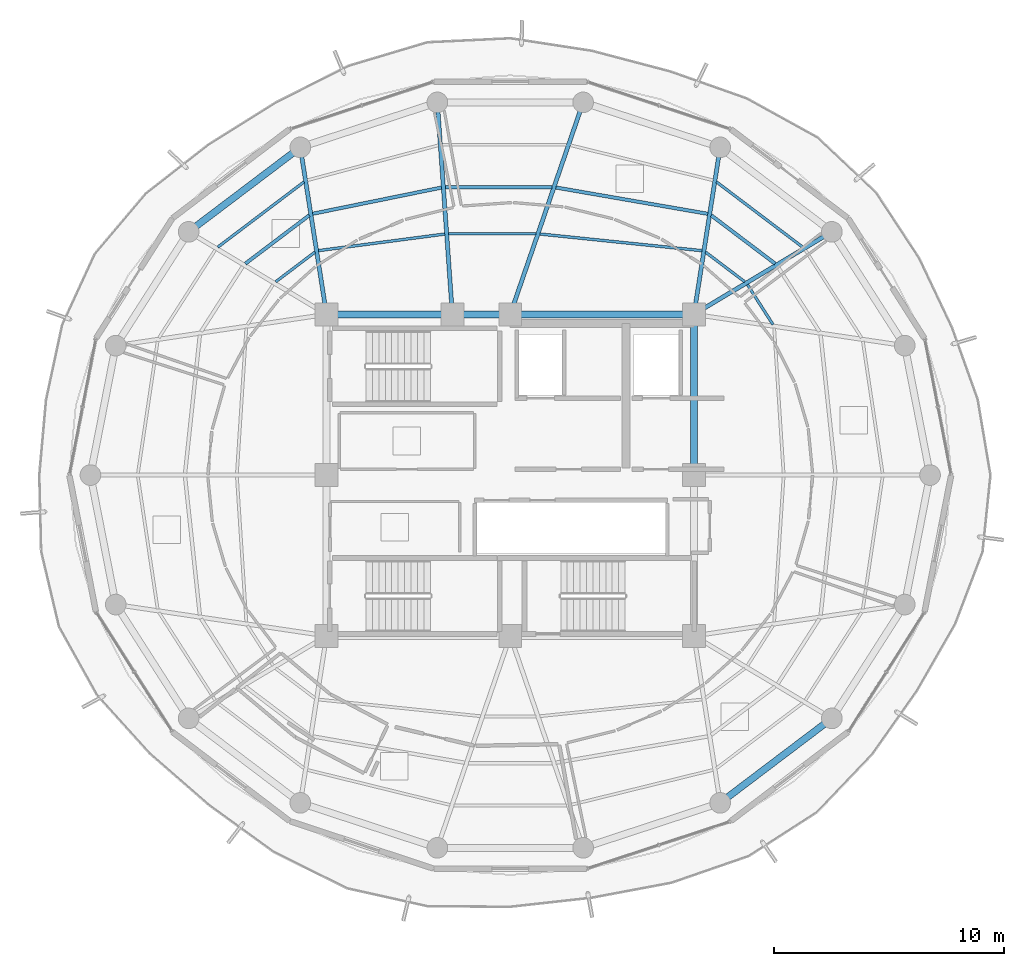
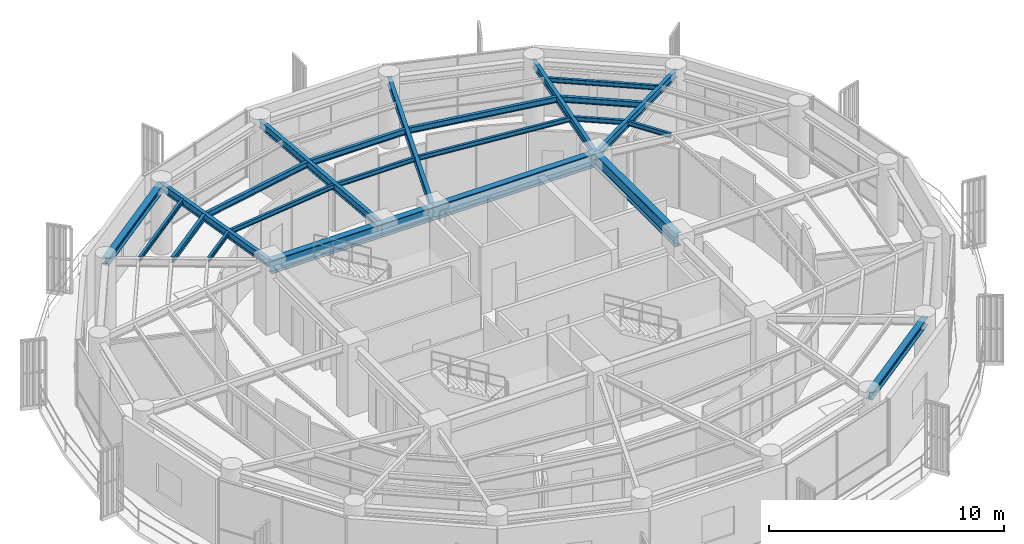
# One storey, part 9 of 23: 24 beams.
"""IFC4 building model written with IfcOpenShell, lengths in metres."""

from ifc_helpers import new_model, si_unit, direction, frame, origin, origin_2d, place, context, subcontext, project, spatial, i_section, extrude, material, material_profile, profile_set, type_object, element, save


model = new_model("IFC4")

# Units and contexts
model_context = context("Model", 3, precision=1e-05, world=origin(), true_north=direction((0.0, 1.0)))
body_context = subcontext(model_context, "Body", "Model", "MODEL_VIEW")
ifc_project = project(units=[si_unit("LENGTHUNIT", "METRE"), si_unit("AREAUNIT", "SQUARE_METRE"), si_unit("VOLUMEUNIT", "CUBIC_METRE"), si_unit("PLANEANGLEUNIT", "RADIAN"), si_unit("MASSUNIT", "GRAM", prefix="KILO")], contexts=[model_context])

# Site, building, storey
site_placement = place(None, origin())
site = spatial("IfcSite", under=ifc_project, at=site_placement, CompositionType="ELEMENT")
building_placement = place(site_placement, origin())
building = spatial("IfcBuilding", under=site, at=building_placement, Name="Kelanora Arch Commons", CompositionType="ELEMENT")
storey_placement = place(building_placement, frame((0.0, 0.0, 286.199951171875)))
storey = spatial("IfcBuildingStorey", under=building, at=storey_placement, Name="L73", CompositionType="ELEMENT", Elevation=286.199951171875)

# Beams
ifc_material = material(Name="Steel S355", Category="steel")
ifc_material_profile_1 = material_profile(ifc_material, i_section(OverallWidth=0.300048828125, OverallDepth=0.699951171875, WebThickness=0.01708984375, FlangeThickness=0.031982421875, FilletRadius=0.027099609375, at=origin_2d()), Name="HEB700")
ifc_profile_set_1 = profile_set([ifc_material_profile_1], Name="Steel S355")
beam_type_1 = type_object("IfcBeamType", Name="BM-CORE-HDR", PredefinedType="BEAM", material=ifc_profile_set_1)
beam_1_placement = place(storey_placement, frame((82.0, 58.0, 3.14013671875), z_axis=(0.0, 1.0, 0.0), x_axis=(-1.0, 0.0, 0.0)))
element("IfcBeam", 1, at=beam_1_placement, inside=storey, type_object=beam_type_1, Name="Core Header Beam 04 L73", PredefinedType="BEAM", context=body_context, shape_type="SweptSolid", body=[
    extrude(i_section(OverallWidth=0.300048828125, OverallDepth=0.699951171875, WebThickness=0.01708984375, FlangeThickness=0.031982421875, FilletRadius=0.027099609375, at=origin_2d()), origin(), (0.0, 0.0, 1.0), 7.0),
])
beam_2_placement = place(storey_placement, frame((82.0, 65.0, 3.14013671875), z_axis=(-1.0, 0.0, 0.0), x_axis=(0.0, -1.0, 0.0)))
element("IfcBeam", 2, at=beam_2_placement, inside=storey, type_object=beam_type_1, Name="Core Header Beam 05 L73", PredefinedType="BEAM", context=body_context, shape_type="SweptSolid", body=[
    extrude(i_section(OverallWidth=0.300048828125, OverallDepth=0.699951171875, WebThickness=0.01708984375, FlangeThickness=0.031982421875, FilletRadius=0.027099609375, at=origin_2d()), origin(), (0.0, 0.0, 1.0), 8.0),
])
beam_3_placement = place(storey_placement, frame((74.0, 65.0, 3.14013671875), z_axis=(-1.0, 0.0, 0.0), x_axis=(0.0, -1.0, 0.0)))
element("IfcBeam", 3, at=beam_3_placement, inside=storey, type_object=beam_type_1, Name="Core Header Beam 06 L73", PredefinedType="BEAM", context=body_context, shape_type="SweptSolid", body=[
    extrude(i_section(OverallWidth=0.300048828125, OverallDepth=0.699951171875, WebThickness=0.01708984375, FlangeThickness=0.031982421875, FilletRadius=0.027099609375, at=origin_2d()), origin(), (0.0, 0.0, 1.0), 2.52001953125),
])
beam_4_placement = place(storey_placement, frame((71.47998046875, 65.0, 3.14013671875), z_axis=(-1.0, 0.0, 0.0), x_axis=(0.0, -1.0, 0.0)))
element("IfcBeam", 4, at=beam_4_placement, inside=storey, type_object=beam_type_1, Name="Core Header Beam 07 L73", PredefinedType="BEAM", context=body_context, shape_type="SweptSolid", body=[
    extrude(i_section(OverallWidth=0.300048828125, OverallDepth=0.699951171875, WebThickness=0.01708984375, FlangeThickness=0.031982421875, FilletRadius=0.027099609375, at=origin_2d()), origin(), (0.0, 0.0, 1.0), 5.47998046875),
])
ifc_material_profile_2 = material_profile(ifc_material, i_section(OverallWidth=0.14990234375, OverallDepth=0.300048828125, WebThickness=0.007080078125, FlangeThickness=0.0107421875, FilletRadius=0.014892578125, at=origin_2d()), Name="IPE300")
ifc_profile_set_2 = profile_set([ifc_material_profile_2], Name="Steel S355")
beam_type_2 = type_object("IfcBeamType", Name="BM-JST-01", PredefinedType="JOIST", material=ifc_profile_set_2)
beam_5_placement = place(storey_placement, frame((85.5341796875, 67.20703125, 3.340087890625), z_axis=(-0.797499198801, 0.603320004568, 0.0), x_axis=(-0.603320004568, -0.797499198801, 0.0)))
element("IfcBeam", 5, at=beam_5_placement, inside=storey, type_object=beam_type_2, Name="Secondary Chord Joist BJB-04 L73", PredefinedType="JOIST", context=body_context, shape_type="SweptSolid", body=[
    extrude(i_section(OverallWidth=0.14990234375, OverallDepth=0.300048828125, WebThickness=0.007080078125, FlangeThickness=0.0107421875, FilletRadius=0.014892578125, at=origin_2d()), origin(), (0.0, 0.0, 1.0), 3.489013671875),
])
beam_6_placement = place(storey_placement, frame((82.60009765625, 69.377685546875, 3.340087890625), z_axis=(-0.985321568263, 0.170708544357, 0.0), x_axis=(-0.170708544357, -0.985321568263, 0.0)))
element("IfcBeam", 6, at=beam_6_placement, inside=storey, type_object=beam_type_2, Name="Secondary Chord Joist BJB-06 L73", PredefinedType="JOIST", context=body_context, shape_type="SweptSolid", body=[
    extrude(i_section(OverallWidth=0.14990234375, OverallDepth=0.300048828125, WebThickness=0.007080078125, FlangeThickness=0.0107421875, FilletRadius=0.014892578125, at=origin_2d()), origin(), (0.0, 0.0, 1.0), 6.710205078125),
])
beam_7_placement = place(storey_placement, frame((75.819580078125, 70.537841796875, 3.340087890625), z_axis=(-1.0, 0.0, 0.0), x_axis=(0.0, -1.0, 0.0)))
element("IfcBeam", 7, at=beam_7_placement, inside=storey, type_object=beam_type_2, Name="Secondary Chord Joist BJB-08 L73", PredefinedType="JOIST", context=body_context, shape_type="SweptSolid", body=[
    extrude(i_section(OverallWidth=0.14990234375, OverallDepth=0.300048828125, WebThickness=0.007080078125, FlangeThickness=0.0107421875, FilletRadius=0.014892578125, at=origin_2d()), origin(), (0.0, 0.0, 1.0), 4.647216796875),
])
beam_8_placement = place(storey_placement, frame((71.004150390625, 70.520751953125, 3.340087890625), z_axis=(-0.979913482255, -0.199423086165, 0.0), x_axis=(0.199423086165, -0.979913482255, 0.0)))
element("IfcBeam", 8, at=beam_8_placement, inside=storey, type_object=beam_type_2, Name="Secondary Chord Joist BJB-10 L73", PredefinedType="JOIST", context=body_context, shape_type="SweptSolid", body=[
    extrude(i_section(OverallWidth=0.14990234375, OverallDepth=0.300048828125, WebThickness=0.007080078125, FlangeThickness=0.0107421875, FilletRadius=0.014892578125, at=origin_2d()), origin(), (0.0, 0.0, 1.0), 5.7197265625),
])
beam_9_placement = place(storey_placement, frame((65.248291015625, 69.31201171875, 3.340087890625), z_axis=(-0.797499198801, -0.603320004568, 0.0), x_axis=(0.603320004568, -0.797499198801, 0.0)))
element("IfcBeam", 9, at=beam_9_placement, inside=storey, type_object=beam_type_2, Name="Secondary Chord Joist BJB-12 L73", PredefinedType="JOIST", context=body_context, shape_type="SweptSolid", body=[
    extrude(i_section(OverallWidth=0.14990234375, OverallDepth=0.300048828125, WebThickness=0.007080078125, FlangeThickness=0.0107421875, FilletRadius=0.014892578125, at=origin_2d()), origin(), (0.0, 0.0, 1.0), 3.489013671875),
])
ifc_material_profile_3 = material_profile(ifc_material, i_section(OverallWidth=0.1201171875, OverallDepth=0.239990234375, WebThickness=0.006103515625, FlangeThickness=0.009765625, FilletRadius=0.014892578125, at=origin_2d()), Name="IPE240")
ifc_profile_set_3 = profile_set([ifc_material_profile_3], Name="Steel S355")
beam_type_3 = type_object("IfcBeamType", Name="BM-JST-02", PredefinedType="JOIST", material=ifc_profile_set_3)
beam_10_placement = place(storey_placement, frame((85.441650390625, 64.553466796875, 3.3701171875), z_axis=(-0.539311810315, 0.842106152011, 0.0), x_axis=(-0.842106152011, -0.539311810315, 0.0)))
element("IfcBeam", 10, at=beam_10_placement, inside=storey, type_object=beam_type_3, Name="Secondary Chord Joist BJA-02 L73", PredefinedType="JOIST", context=body_context, shape_type="SweptSolid", body=[
    extrude(i_section(OverallWidth=0.1201171875, OverallDepth=0.239990234375, WebThickness=0.006103515625, FlangeThickness=0.009765625, FilletRadius=0.014892578125, at=origin_2d()), origin(), (0.0, 0.0, 1.0), 2.06640625),
])
beam_11_placement = place(storey_placement, frame((84.21337890625, 66.416748046875, 3.3701171875), z_axis=(-0.797509883882, 0.603305880222, 0.0), x_axis=(-0.603305880222, -0.797509883882, 0.0)))
element("IfcBeam", 11, at=beam_11_placement, inside=storey, type_object=beam_type_3, Name="Secondary Chord Joist BJA-04 L73", PredefinedType="JOIST", context=body_context, shape_type="SweptSolid", body=[
    extrude(i_section(OverallWidth=0.1201171875, OverallDepth=0.239990234375, WebThickness=0.006103515625, FlangeThickness=0.009765625, FilletRadius=0.014892578125, at=origin_2d()), origin(), (0.0, 0.0, 1.0), 2.147216796875),
])
beam_12_placement = place(storey_placement, frame((86.73486328125, 67.92578125, 3.3701171875), z_axis=(-0.79752302984, 0.60328850219, 0.0), x_axis=(-0.60328850219, -0.79752302984, 0.0)))
element("IfcBeam", 12, at=beam_12_placement, inside=storey, type_object=beam_type_3, Name="Secondary Chord Joist BJC-04 L73", PredefinedType="JOIST", context=body_context, shape_type="SweptSolid", body=[
    extrude(i_section(OverallWidth=0.1201171875, OverallDepth=0.239990234375, WebThickness=0.006103515625, FlangeThickness=0.009765625, FilletRadius=0.014892578125, at=origin_2d()), origin(), (0.0, 0.0, 1.0), 4.70849609375),
])
beam_13_placement = place(storey_placement, frame((82.3486328125, 67.772216796875, 3.3701171875), z_axis=(-0.994746545688, 0.102368500239, 0.0), x_axis=(-0.102368500239, -0.994746545688, 0.0)))
element("IfcBeam", 13, at=beam_13_placement, inside=storey, type_object=beam_type_3, Name="Secondary Chord Joist BJA-06 L73", PredefinedType="JOIST", context=body_context, shape_type="SweptSolid", body=[
    extrude(i_section(OverallWidth=0.1201171875, OverallDepth=0.239990234375, WebThickness=0.006103515625, FlangeThickness=0.009765625, FilletRadius=0.014892578125, at=origin_2d()), origin(), (0.0, 0.0, 1.0), 7.09521484375),
])
beam_14_placement = place(storey_placement, frame((75.12109375, 68.507080078125, 3.3701171875), z_axis=(-1.0, 0.0, 0.0), x_axis=(0.0, -1.0, 0.0)))
element("IfcBeam", 14, at=beam_14_placement, inside=storey, type_object=beam_type_3, Name="Secondary Chord Joist BJA-08 L73", PredefinedType="JOIST", context=body_context, shape_type="SweptSolid", body=[
    extrude(i_section(OverallWidth=0.1201171875, OverallDepth=0.239990234375, WebThickness=0.006103515625, FlangeThickness=0.009765625, FilletRadius=0.014892578125, at=origin_2d()), origin(), (0.0, 0.0, 1.0), 3.8046875),
])
beam_15_placement = place(storey_placement, frame((71.147216796875, 68.49609375, 3.3701171875), z_axis=(-0.991489038745, -0.130190191832, 0.0), x_axis=(0.130190191832, -0.991489038745, 0.0)))
element("IfcBeam", 15, at=beam_15_placement, inside=storey, type_object=beam_type_3, Name="Secondary Chord Joist BJA-10 L73", PredefinedType="JOIST", context=body_context, shape_type="SweptSolid", body=[
    extrude(i_section(OverallWidth=0.1201171875, OverallDepth=0.239990234375, WebThickness=0.006103515625, FlangeThickness=0.009765625, FilletRadius=0.014892578125, at=origin_2d()), origin(), (0.0, 0.0, 1.0), 5.543212890625),
])
beam_16_placement = place(storey_placement, frame((65.4990234375, 67.712158203125, 3.3701171875), z_axis=(-0.797509883882, -0.603305880222, 0.0), x_axis=(0.603305880222, -0.797509883882, 0.0)))
element("IfcBeam", 16, at=beam_16_placement, inside=storey, type_object=beam_type_3, Name="Secondary Chord Joist BJA-12 L73", PredefinedType="JOIST", context=body_context, shape_type="SweptSolid", body=[
    extrude(i_section(OverallWidth=0.1201171875, OverallDepth=0.239990234375, WebThickness=0.006103515625, FlangeThickness=0.009765625, FilletRadius=0.014892578125, at=origin_2d()), origin(), (0.0, 0.0, 1.0), 2.147216796875),
])
beam_17_placement = place(storey_placement, frame((65.020263671875, 70.766357421875, 3.3701171875), z_axis=(-0.79752302984, -0.60328850219, 0.0), x_axis=(0.60328850219, -0.79752302984, 0.0)))
element("IfcBeam", 17, at=beam_17_placement, inside=storey, type_object=beam_type_3, Name="Secondary Chord Joist BJC-12 L73", PredefinedType="JOIST", context=body_context, shape_type="SweptSolid", body=[
    extrude(i_section(OverallWidth=0.1201171875, OverallDepth=0.239990234375, WebThickness=0.006103515625, FlangeThickness=0.009765625, FilletRadius=0.014892578125, at=origin_2d()), origin(), (0.0, 0.0, 1.0), 4.70849609375),
])
ifc_material_profile_4 = material_profile(ifc_material, i_section(OverallWidth=0.179931640625, OverallDepth=0.39990234375, WebThickness=0.008544921875, FlangeThickness=0.013427734375, FilletRadius=0.02099609375, at=origin_2d()), Name="IPE400")
ifc_profile_set_4 = profile_set([ifc_material_profile_4], Name="Steel S355")
beam_type_4 = type_object("IfcBeamType", Name="BM-RAD-Z5", PredefinedType="BEAM", material=ifc_profile_set_4)
beam_18_placement = place(storey_placement, frame((82.0, 65.0, 3.2900390625), z_axis=(0.858062005744, 0.513546097541, 0.0), x_axis=(-0.513546097541, 0.858062005744, 0.0)))
element("IfcBeam", 18, at=beam_18_placement, inside=storey, type_object=beam_type_4, Name="Radial Floor Girder BR-04 L73", PredefinedType="BEAM", context=body_context, shape_type="SweptSolid", body=[
    extrude(i_section(OverallWidth=0.179931640625, OverallDepth=0.39990234375, WebThickness=0.008544921875, FlangeThickness=0.013427734375, FilletRadius=0.02099609375, at=origin_2d()), origin(), (0.0, 0.0, 1.0), 6.99658203125),
])
beam_19_placement = place(storey_placement, frame((82.0, 65.0, 3.2900390625), z_axis=(0.154855424129, 0.987937142544, 0.0), x_axis=(-0.987937142544, 0.154855424129, 0.0)))
element("IfcBeam", 19, at=beam_19_placement, inside=storey, type_object=beam_type_4, Name="Radial Floor Girder BR-06 L73", PredefinedType="BEAM", context=body_context, shape_type="SweptSolid", body=[
    extrude(i_section(OverallWidth=0.179931640625, OverallDepth=0.39990234375, WebThickness=0.008544921875, FlangeThickness=0.013427734375, FilletRadius=0.02099609375, at=origin_2d()), origin(), (0.0, 0.0, 1.0), 7.361083984375),
])
beam_20_placement = place(storey_placement, frame((74.0, 65.0, 3.2900390625), z_axis=(0.325233562807, 0.945633718532, 0.0), x_axis=(-0.945633718532, 0.325233562807, 0.0)))
element("IfcBeam", 20, at=beam_20_placement, inside=storey, type_object=beam_type_4, Name="Radial Floor Girder BR-08 L73", PredefinedType="BEAM", context=body_context, shape_type="SweptSolid", body=[
    extrude(i_section(OverallWidth=0.179931640625, OverallDepth=0.39990234375, WebThickness=0.008544921875, FlangeThickness=0.013427734375, FilletRadius=0.02099609375, at=origin_2d()), origin(), (0.0, 0.0, 1.0), 9.760009765625),
])
beam_21_placement = place(storey_placement, frame((71.47998046875, 65.0, 3.2900390625), z_axis=(-0.070714497892, 0.997496596379, 0.0), x_axis=(-0.997496596379, -0.070714497892, 0.0)))
element("IfcBeam", 21, at=beam_21_placement, inside=storey, type_object=beam_type_4, Name="Radial Floor Girder BR-10 L73", PredefinedType="BEAM", context=body_context, shape_type="SweptSolid", body=[
    extrude(i_section(OverallWidth=0.179931640625, OverallDepth=0.39990234375, WebThickness=0.008544921875, FlangeThickness=0.013427734375, FilletRadius=0.02099609375, at=origin_2d()), origin(), (0.0, 0.0, 1.0), 9.252685546875),
])
beam_22_placement = place(storey_placement, frame((66.0, 65.0, 3.2900390625), z_axis=(-0.154855424129, 0.987937142544, 0.0), x_axis=(-0.987937142544, -0.154855424129, 0.0)))
element("IfcBeam", 22, at=beam_22_placement, inside=storey, type_object=beam_type_4, Name="Radial Floor Girder BR-12 L73", PredefinedType="BEAM", context=body_context, shape_type="SweptSolid", body=[
    extrude(i_section(OverallWidth=0.179931640625, OverallDepth=0.39990234375, WebThickness=0.008544921875, FlangeThickness=0.013427734375, FilletRadius=0.02099609375, at=origin_2d()), origin(), (0.0, 0.0, 1.0), 7.361083984375),
])
ifc_material_profile_5 = material_profile(ifc_material, i_section(OverallWidth=0.300048828125, OverallDepth=0.39990234375, WebThickness=0.013427734375, FlangeThickness=0.02392578125, FilletRadius=0.027099609375, at=origin_2d()), Name="HEB400")
ifc_profile_set_5 = profile_set([ifc_material_profile_5], Name="Steel S355")
beam_type_5 = type_object("IfcBeamType", Name="BM-SPN-Z4", PredefinedType="SPANDREL", material=ifc_profile_set_5)
for number, where, z_axis, x_axis, name in (
    (23, (64.860107421875, 72.272216796875, 3.2900390625), (-0.797509460967, -0.603306439273, 0.0), (0.603306439273, -0.797509460967, 0.0), "Perimeter Spandrel Beam BS-12 L73"),
    (24, (83.139892578125, 43.727783203125, 3.2900390625), (0.797509460967, 0.603306439273, 0.0), (-0.603306439273, 0.797509460967, 0.0), "Perimeter Spandrel Beam BS-30 L73"),
):
    element("IfcBeam", number, at=place(storey_placement, frame(where, z_axis=z_axis, x_axis=x_axis)), inside=storey, type_object=beam_type_5, Name=name, PredefinedType="SPANDREL", context=body_context, shape_type="SweptSolid", body=[
        extrude(i_section(OverallWidth=0.300048828125, OverallDepth=0.39990234375, WebThickness=0.013427734375, FlangeThickness=0.02392578125, FilletRadius=0.027099609375, at=origin_2d()), origin(), (0.0, 0.0, 1.0), 6.098388671875),
    ])

save(model, "model.ifc")
